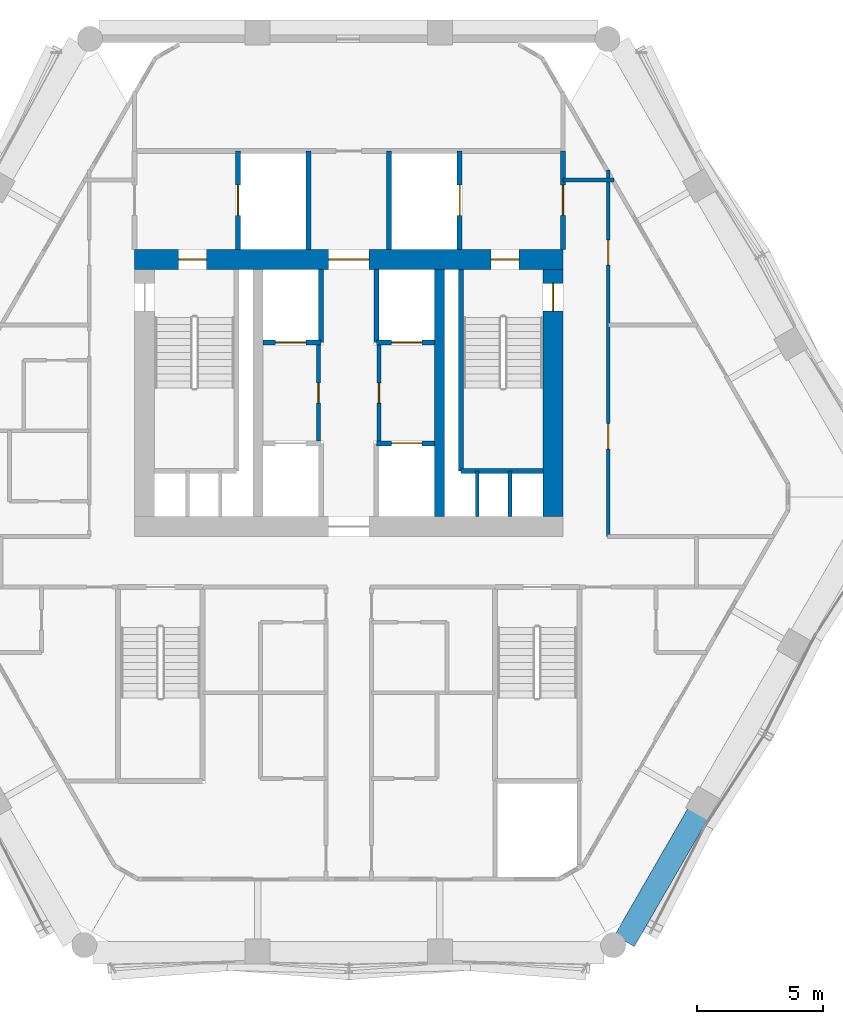
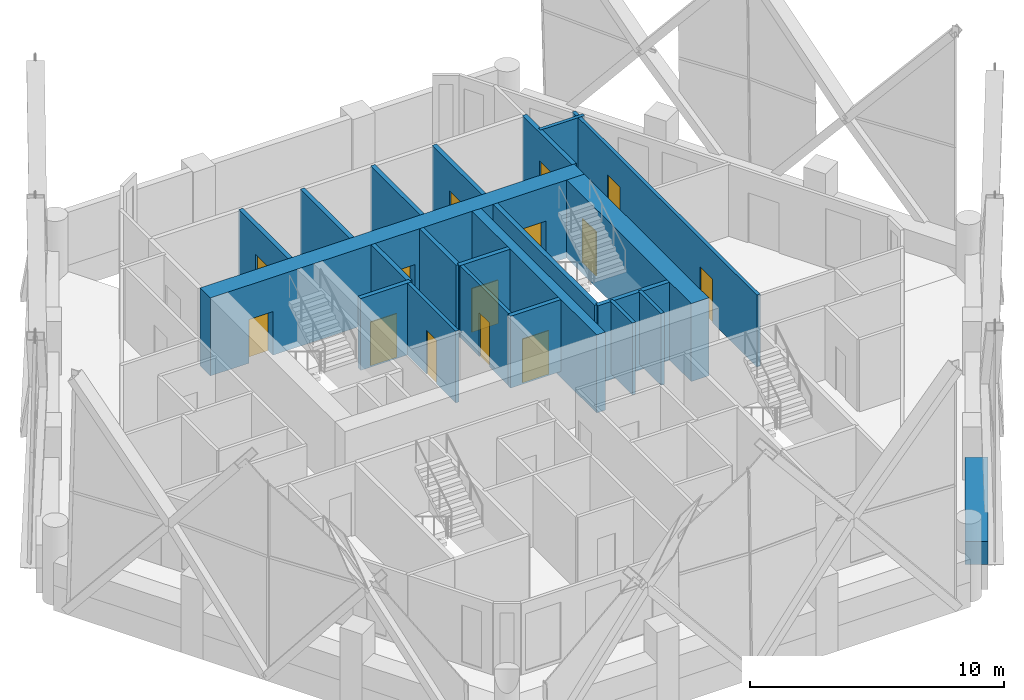
# One storey, part 12 of 19: 22 walls, 14 doors, 14 openings.
"""IFC4 building model written with IfcOpenShell, lengths in metres."""

from ifc_helpers import new_model, si_unit, direction, frame, frame_2d, origin, place, context, subcontext, project, spatial, rectangle, extrude, material, layer, layer_set, type_object, element, fill, save


model = new_model("IFC4")

# Units and contexts
model_context = context("Model", 3, precision=1e-05, world=origin(), true_north=direction((0.0, 1.0)))
body_context = subcontext(model_context, "Body", "Model", "MODEL_VIEW")
ifc_project = project(units=[si_unit("LENGTHUNIT", "METRE"), si_unit("AREAUNIT", "SQUARE_METRE"), si_unit("VOLUMEUNIT", "CUBIC_METRE"), si_unit("PLANEANGLEUNIT", "RADIAN"), si_unit("MASSUNIT", "GRAM", prefix="KILO")], contexts=[model_context])

# Site, building, storey
site_placement = place(None, origin())
site = spatial("IfcSite", under=ifc_project, at=site_placement, CompositionType="ELEMENT")
building_placement = place(site_placement, origin())
building = spatial("IfcBuilding", under=site, at=building_placement, Name="Ostrander Bayou Hotel Tower", CompositionType="ELEMENT")
storey_placement = place(building_placement, frame((0.0, 0.0, 164.5)))
storey = spatial("IfcBuildingStorey", under=building, at=storey_placement, Name="L40", CompositionType="ELEMENT", Elevation=164.5)

# Wall, openings, doors
ifc_material_1 = material(Name="Concrete f'c 60 MPa", Category="concrete")
ifc_layer_1 = layer(ifc_material_1, 0.800048828125)
ifc_layer_set_1 = layer_set([ifc_layer_1], Name="CW7 core wall 800 mm f'c 60 MPa")
wall_type_1 = type_object("IfcWallType", Name="CW7 core wall 800 mm f'c 60 MPa", PredefinedType="SHEAR", material=ifc_layer_set_1)
wall_1_placement = place(storey_placement, frame((-8.5, 9.300048828125, -0.300048828125), z_axis=(0.0, 0.0, 1.0), x_axis=(1.0, 0.0, 0.0)))
wall_1 = element("IfcWall", 1, at=wall_1_placement, inside=storey, type_object=wall_type_1, Name="CW7 L40 N", PredefinedType="SHEAR", context=body_context, shape_type="SweptSolid", body=[
    extrude(rectangle(XDim=17.0, YDim=0.800048828125, at=frame_2d((8.5, 0.0))), origin(), (0.0, 0.0, 1.0), 3.75),
])
opening_1_placement = place(wall_1_placement, frame((7.699951171875, 0.0, 0.0)))
opening_1 = element("IfcOpeningElement", 2, at=opening_1_placement, cuts=wall_1, Name="Opening T38-006", PredefinedType="OPENING", context=body_context, shape_type="SweptSolid", body=[
    extrude(rectangle(XDim=1.60009765625, YDim=2.10009765625, at=frame_2d((0.800048828125, 1.050048828125))), frame((0.0, 0.39990234375, 0.0), z_axis=(0.0, -1.0, 0.0), x_axis=(1.0, 0.0, 0.0)), (0.0, 0.0, 1.0), 0.800048828125),
])
opening_2_placement = place(wall_1_placement, frame((1.75, 0.0, 0.0)))
opening_2 = element("IfcOpeningElement", 3, at=opening_2_placement, cuts=wall_1, Name="Opening T38-007", PredefinedType="OPENING", context=body_context, shape_type="SweptSolid", body=[
    extrude(rectangle(XDim=1.10009765625, YDim=2.10009765625, at=frame_2d((0.550048828125, 1.050048828125))), frame((0.0, 0.39990234375, 0.0), z_axis=(0.0, -1.0, 0.0), x_axis=(1.0, 0.0, 0.0)), (0.0, 0.0, 1.0), 0.800048828125),
])
opening_3_placement = place(wall_1_placement, frame((14.14990234375, 0.0, 0.0)))
opening_3 = element("IfcOpeningElement", 4, at=opening_3_placement, cuts=wall_1, Name="Opening T38-009", PredefinedType="OPENING", context=body_context, shape_type="SweptSolid", body=[
    extrude(rectangle(XDim=1.10009765625, YDim=2.10009765625, at=frame_2d((0.550048828125, 1.050048828125))), frame((0.0, 0.39990234375, 0.0), z_axis=(0.0, -1.0, 0.0), x_axis=(1.0, 0.0, 0.0)), (0.0, 0.0, 1.0), 0.800048828125),
])
ifc_material_2 = material(Name="Timber door leaf", Category="wood")
door_type_1 = type_object("IfcDoorType", Name="D13 double door 1600 x 2100 mm, 1 hour", OperationType="SINGLE_SWING_LEFT", PredefinedType="DOOR", material=ifc_material_2)
door_1_placement = place(opening_1_placement, origin())
door_1 = element("IfcDoor", 5, at=door_1_placement, inside=storey, type_object=door_type_1, Name="dr:L40:006", OperationType="DOUBLE_DOOR_SINGLE_SWING", OverallHeight=2.10009765625, OverallWidth=1.60009765625, PredefinedType="DOOR", context=body_context, shape_type="SweptSolid", body=[
    extrude(rectangle(XDim=1.60009765625, YDim=2.10009765625, at=frame_2d((0.800048828125, 1.050048828125))), frame((0.0, 0.02490234375, 0.0), z_axis=(0.0, -1.0, 0.0), x_axis=(1.0, 0.0, 0.0)), (0.0, 0.0, 1.0), 0.050048828125),
])
fill(opening_1, door_1)
ifc_material_3 = material(Name="Timber door leaf", Category="wood")
door_type_2 = type_object("IfcDoorType", Name="D5 stair door 1100 x 2100 mm, 90 minute", OperationType="SINGLE_SWING_LEFT", PredefinedType="DOOR", material=ifc_material_3)
door_2_placement = place(opening_2_placement, origin())
door_2 = element("IfcDoor", 6, at=door_2_placement, inside=storey, type_object=door_type_2, Name="dr:L40:007", OperationType="SINGLE_SWING_LEFT", OverallHeight=2.10009765625, OverallWidth=1.10009765625, PredefinedType="DOOR", context=body_context, shape_type="SweptSolid", body=[
    extrude(rectangle(XDim=1.10009765625, YDim=2.10009765625, at=frame_2d((0.550048828125, 1.050048828125))), frame((0.0, 0.02490234375, 0.0), z_axis=(0.0, -1.0, 0.0), x_axis=(1.0, 0.0, 0.0)), (0.0, 0.0, 1.0), 0.050048828125),
])
fill(opening_2, door_2)
door_3_placement = place(opening_3_placement, origin())
door_3 = element("IfcDoor", 7, at=door_3_placement, inside=storey, type_object=door_type_2, Name="dr:L40:009", OperationType="SINGLE_SWING_RIGHT", OverallHeight=2.10009765625, OverallWidth=1.10009765625, PredefinedType="DOOR", context=body_context, shape_type="SweptSolid", body=[
    extrude(rectangle(XDim=1.10009765625, YDim=2.10009765625, at=frame_2d((0.550048828125, 1.050048828125))), frame((0.0, 0.02490234375, 0.0), z_axis=(0.0, -1.0, 0.0), x_axis=(1.0, 0.0, 0.0)), (0.0, 0.0, 1.0), 0.050048828125),
])
fill(opening_3, door_3)

# Wall, opening, door
ifc_material_4 = material(Name="Concrete f'c 60 MPa", Category="concrete")
ifc_layer_2 = layer(ifc_material_4, 0.800048828125)
ifc_layer_set_2 = layer_set([ifc_layer_2], Name="CW8 core spine wall 800 mm f'c 60 MPa")
wall_type_2 = type_object("IfcWallType", Name="CW8 core spine wall 800 mm f'c 60 MPa", PredefinedType="SHEAR", material=ifc_layer_set_2)
wall_2_placement = place(storey_placement, frame((8.10009765625, -0.89990234375, -0.300048828125), z_axis=(0.0, 0.0, 1.0), x_axis=(0.0, 1.0, 0.0)))
wall_2 = element("IfcWall", 8, at=wall_2_placement, inside=storey, type_object=wall_type_2, Name="CW8 L40 E", PredefinedType="SHEAR", context=body_context, shape_type="SweptSolid", body=[
    extrude(rectangle(XDim=9.7998046875, YDim=0.800048828125, at=frame_2d((4.89990234375, 0.0))), origin(), (0.0, 0.0, 1.0), 3.75),
])
opening_4_placement = place(wall_2_placement, frame((8.14990234375, 0.0, 0.0)))
opening_4 = element("IfcOpeningElement", 9, at=opening_4_placement, cuts=wall_2, Name="Opening T38-010", PredefinedType="OPENING", context=body_context, shape_type="SweptSolid", body=[
    extrude(rectangle(XDim=1.10009765625, YDim=2.10009765625, at=frame_2d((0.550048828125, 1.050048828125))), frame((0.0, 0.39990234375, 0.0), z_axis=(0.0, -1.0, 0.0), x_axis=(1.0, 0.0, 0.0)), (0.0, 0.0, 1.0), 0.800048828125),
])
door_4_placement = place(opening_4_placement, origin())
door_4 = element("IfcDoor", 10, at=door_4_placement, inside=storey, type_object=door_type_2, Name="dr:L40:010", OperationType="SINGLE_SWING_LEFT", OverallHeight=2.10009765625, OverallWidth=1.10009765625, PredefinedType="DOOR", context=body_context, shape_type="SweptSolid", body=[
    extrude(rectangle(XDim=1.10009765625, YDim=2.10009765625, at=frame_2d((0.550048828125, 1.050048828125))), frame((0.0, 0.02490234375, 0.0), z_axis=(0.0, -1.0, 0.0), x_axis=(1.0, 0.0, 0.0)), (0.0, 0.0, 1.0), 0.050048828125),
])
fill(opening_4, door_4)

# Walls
ifc_material_5 = material(Name="Concrete f'c 60 MPa", Category="concrete")
ifc_layer_3 = layer(ifc_material_5, 0.39990234375)
ifc_layer_set_3 = layer_set([ifc_layer_3], Name="CW9 core bank wall 400 mm f'c 60 MPa")
wall_type_3 = type_object("IfcWallType", Name="CW9 core bank wall 400 mm f'c 60 MPa", PredefinedType="SHEAR", material=ifc_layer_set_3)
wall_3_placement = place(storey_placement, frame((3.60009765625, -0.89990234375, -0.300048828125), z_axis=(0.0, 0.0, 1.0), x_axis=(0.0, 1.0, 0.0)))
element("IfcWall", 11, at=wall_3_placement, inside=storey, type_object=wall_type_3, Name="CW9 L40 CE", PredefinedType="SHEAR", context=body_context, shape_type="SweptSolid", body=[
    extrude(rectangle(XDim=9.7998046875, YDim=0.39990234375, at=frame_2d((4.89990234375, 0.0))), origin(), (0.0, 0.0, 1.0), 3.75),
])
ifc_material_6 = material(Name="Limestone masonry", Category="masonry")
ifc_layer_4 = layer(ifc_material_6, 0.89990234375)
ifc_layer_set_4 = layer_set([ifc_layer_4], Name="PA2 limestone parapet 900 mm")
wall_type_4 = type_object("IfcWallType", Name="PA2 limestone parapet 900 mm", PredefinedType="PARAPET", material=ifc_layer_set_4)
wall_4_placement = place(storey_placement, frame((10.941162109375, -17.74951171875, 0.0), z_axis=(0.0, 0.0, 1.0), x_axis=(0.499969679245, 0.866042908773, 0.0)))
element("IfcWall", 12, at=wall_4_placement, inside=storey, type_object=wall_type_4, Name="PA2 L40 SE-1", PredefinedType="PARAPET", context=body_context, shape_type="SweptSolid", body=[
    extrude(rectangle(XDim=5.812744140625, YDim=0.89990234375, at=frame_2d((2.90625, 0.0))), origin(), (0.0, 0.0, 1.0), 1.10009765625),
])

# Wall, opening, door
ifc_material_7 = material(Name="Masonry block", Category="masonry")
ifc_layer_5 = layer(ifc_material_7, 0.199951171875)
ifc_layer_set_5 = layer_set([ifc_layer_5], Name="PT5 stair enclosure wall 200 mm masonry, 2 hour")
wall_type_5 = type_object("IfcWallType", Name="PT5 stair enclosure wall 200 mm masonry, 2 hour", PredefinedType="PARTITIONING", material=ifc_layer_set_5)
wall_5_placement = place(storey_placement, frame((8.5, 9.699951171875, 0.0), z_axis=(0.0, 0.0, 1.0), x_axis=(0.0, 1.0, 0.0)))
wall_5 = element("IfcWall", 13, at=wall_5_placement, inside=storey, type_object=wall_type_5, Name="cs:L40:029", PredefinedType="PARTITIONING", context=body_context, shape_type="SweptSolid", body=[
    extrude(rectangle(XDim=3.900146484375, YDim=0.199951171875, at=frame_2d((1.9501953125, 0.0))), origin(), (0.0, 0.0, 1.0), 3.449951171875),
])
opening_5_placement = place(wall_5_placement, frame((1.35009765625, 0.0, 0.0)))
opening_5 = element("IfcOpeningElement", 14, at=opening_5_placement, cuts=wall_5, Name="Opening T38-016", PredefinedType="OPENING", context=body_context, shape_type="SweptSolid", body=[
    extrude(rectangle(XDim=1.199951171875, YDim=2.10009765625, at=frame_2d((0.60009765625, 1.050048828125))), frame((0.0, 0.10009765625, 0.0), z_axis=(0.0, -1.0, 0.0), x_axis=(1.0, 0.0, 0.0)), (0.0, 0.0, 1.0), 0.199951171875),
])
ifc_material_8 = material(Name="Timber door leaf", Category="wood")
door_type_3 = type_object("IfcDoorType", Name="D7 lobby door 1200 x 2100 mm, 1 hour", OperationType="SINGLE_SWING_LEFT", PredefinedType="DOOR", material=ifc_material_8)
door_5_placement = place(opening_5_placement, origin())
door_5 = element("IfcDoor", 15, at=door_5_placement, inside=storey, type_object=door_type_3, Name="dr:L40:016", OperationType="SINGLE_SWING_LEFT", OverallHeight=2.10009765625, OverallWidth=1.199951171875, PredefinedType="DOOR", context=body_context, shape_type="SweptSolid", body=[
    extrude(rectangle(XDim=1.199951171875, YDim=2.10009765625, at=frame_2d((0.60009765625, 1.050048828125))), frame((0.0, 0.02490234375, 0.0), z_axis=(0.0, -1.0, 0.0), x_axis=(1.0, 0.0, 0.0)), (0.0, 0.0, 1.0), 0.050048828125),
])
fill(opening_5, door_5)

wall_6_placement = place(storey_placement, frame((-4.39990234375, 9.699951171875, 0.0), z_axis=(0.0, 0.0, 1.0), x_axis=(0.0, 1.0, 0.0)))
wall_6 = element("IfcWall", 16, at=wall_6_placement, inside=storey, type_object=wall_type_5, Name="cs:L40:030", PredefinedType="PARTITIONING", context=body_context, shape_type="SweptSolid", body=[
    extrude(rectangle(XDim=3.900146484375, YDim=0.199951171875, at=frame_2d((1.9501953125, 0.0))), origin(), (0.0, 0.0, 1.0), 3.449951171875),
])
opening_6_placement = place(wall_6_placement, frame((1.35009765625, 0.0, 0.0)))
opening_6 = element("IfcOpeningElement", 17, at=opening_6_placement, cuts=wall_6, Name="Opening T38-013", PredefinedType="OPENING", context=body_context, shape_type="SweptSolid", body=[
    extrude(rectangle(XDim=1.199951171875, YDim=2.10009765625, at=frame_2d((0.60009765625, 1.050048828125))), frame((0.0, 0.10009765625, 0.0), z_axis=(0.0, -1.0, 0.0), x_axis=(1.0, 0.0, 0.0)), (0.0, 0.0, 1.0), 0.199951171875),
])
ifc_material_9 = material(Name="Stainless steel sliding door", Category="steel")
door_type_4 = type_object("IfcDoorType", Name="LD1 lift landing door 1200 x 2100 mm", OperationType="SINGLE_SWING_LEFT", PredefinedType="DOOR", material=ifc_material_9)
door_6_placement = place(opening_6_placement, origin())
door_6 = element("IfcDoor", 18, at=door_6_placement, inside=storey, type_object=door_type_4, Name="dr:L40:013", OperationType="SLIDING_TO_LEFT", OverallHeight=2.10009765625, OverallWidth=1.199951171875, PredefinedType="DOOR", context=body_context, shape_type="SweptSolid", body=[
    extrude(rectangle(XDim=1.199951171875, YDim=2.10009765625, at=frame_2d((0.60009765625, 1.050048828125))), frame((0.0, 0.02490234375, 0.0), z_axis=(0.0, -1.0, 0.0), x_axis=(1.0, 0.0, 0.0)), (0.0, 0.0, 1.0), 0.050048828125),
])
fill(opening_6, door_6)

wall_7_placement = place(storey_placement, frame((4.39990234375, 9.699951171875, 0.0), z_axis=(0.0, 0.0, 1.0), x_axis=(0.0, 1.0, 0.0)))
wall_7 = element("IfcWall", 19, at=wall_7_placement, inside=storey, type_object=wall_type_5, Name="cs:L40:031", PredefinedType="PARTITIONING", context=body_context, shape_type="SweptSolid", body=[
    extrude(rectangle(XDim=3.900146484375, YDim=0.199951171875, at=frame_2d((1.9501953125, 0.0))), origin(), (0.0, 0.0, 1.0), 3.449951171875),
])
opening_7_placement = place(wall_7_placement, frame((1.35009765625, 0.0, 0.0)))
opening_7 = element("IfcOpeningElement", 20, at=opening_7_placement, cuts=wall_7, Name="Opening T38-015", PredefinedType="OPENING", context=body_context, shape_type="SweptSolid", body=[
    extrude(rectangle(XDim=1.199951171875, YDim=2.10009765625, at=frame_2d((0.60009765625, 1.050048828125))), frame((0.0, 0.10009765625, 0.0), z_axis=(0.0, -1.0, 0.0), x_axis=(1.0, 0.0, 0.0)), (0.0, 0.0, 1.0), 0.199951171875),
])
door_7_placement = place(opening_7_placement, origin())
door_7 = element("IfcDoor", 21, at=door_7_placement, inside=storey, type_object=door_type_4, Name="dr:L40:015", OperationType="SLIDING_TO_LEFT", OverallHeight=2.10009765625, OverallWidth=1.199951171875, PredefinedType="DOOR", context=body_context, shape_type="SweptSolid", body=[
    extrude(rectangle(XDim=1.199951171875, YDim=2.10009765625, at=frame_2d((0.60009765625, 1.050048828125))), frame((0.0, 0.02490234375, 0.0), z_axis=(0.0, -1.0, 0.0), x_axis=(1.0, 0.0, 0.0)), (0.0, 0.0, 1.0), 0.050048828125),
])
fill(opening_7, door_7)

ifc_material_10 = material(Name="Masonry block", Category="masonry")
ifc_layer_6 = layer(ifc_material_10, 0.199951171875)
ifc_layer_set_6 = layer_set([ifc_layer_6], Name="PT6 lift shaft wall 200 mm masonry, 2 hour")
wall_type_6 = type_object("IfcWallType", Name="PT6 lift shaft wall 200 mm masonry, 2 hour", PredefinedType="PARTITIONING", material=ifc_layer_set_6)
wall_8_placement = place(storey_placement, frame((-3.39990234375, 6.0, 0.0), z_axis=(0.0, 0.0, 1.0), x_axis=(1.0, 0.0, 0.0)))
wall_8 = element("IfcWall", 22, at=wall_8_placement, inside=storey, type_object=wall_type_6, Name="cs:L40:002", PredefinedType="PARTITIONING", context=body_context, shape_type="SweptSolid", body=[
    extrude(rectangle(XDim=2.2998046875, YDim=0.199951171875, at=frame_2d((1.14990234375, 0.0))), origin(), (0.0, 0.0, 1.0), 3.449951171875),
])
opening_8_placement = place(wall_8_placement, frame((0.5, 0.0, 0.0)))
opening_8 = element("IfcOpeningElement", 23, at=opening_8_placement, cuts=wall_8, Name="Opening T38-003", PredefinedType="OPENING", context=body_context, shape_type="SweptSolid", body=[
    extrude(rectangle(XDim=1.199951171875, YDim=2.10009765625, at=frame_2d((0.60009765625, 1.050048828125))), frame((0.0, 0.10009765625, 0.0), z_axis=(0.0, -1.0, 0.0), x_axis=(1.0, 0.0, 0.0)), (0.0, 0.0, 1.0), 0.199951171875),
])
door_8_placement = place(opening_8_placement, origin())
door_8 = element("IfcDoor", 24, at=door_8_placement, inside=storey, type_object=door_type_4, Name="dr:L40:003", OperationType="SLIDING_TO_LEFT", OverallHeight=2.10009765625, OverallWidth=1.199951171875, PredefinedType="DOOR", context=body_context, shape_type="SweptSolid", body=[
    extrude(rectangle(XDim=1.199951171875, YDim=2.10009765625, at=frame_2d((0.60009765625, 1.050048828125))), frame((0.0, 0.02490234375, 0.0), z_axis=(0.0, -1.0, 0.0), x_axis=(1.0, 0.0, 0.0)), (0.0, 0.0, 1.0), 0.050048828125),
])
fill(opening_8, door_8)

wall_9_placement = place(storey_placement, frame((1.10009765625, 2.0, 0.0), z_axis=(0.0, 0.0, 1.0), x_axis=(1.0, 0.0, 0.0)))
wall_9 = element("IfcWall", 25, at=wall_9_placement, inside=storey, type_object=wall_type_6, Name="cs:L40:003", PredefinedType="PARTITIONING", context=body_context, shape_type="SweptSolid", body=[
    extrude(rectangle(XDim=2.2998046875, YDim=0.199951171875, at=frame_2d((1.14990234375, 0.0))), origin(), (0.0, 0.0, 1.0), 3.449951171875),
])
opening_9_placement = place(wall_9_placement, frame((0.60009765625, 0.0, 0.0)))
opening_9 = element("IfcOpeningElement", 26, at=opening_9_placement, cuts=wall_9, Name="Opening T38-002", PredefinedType="OPENING", context=body_context, shape_type="SweptSolid", body=[
    extrude(rectangle(XDim=1.199951171875, YDim=2.10009765625, at=frame_2d((0.60009765625, 1.050048828125))), frame((0.0, 0.10009765625, 0.0), z_axis=(0.0, -1.0, 0.0), x_axis=(1.0, 0.0, 0.0)), (0.0, 0.0, 1.0), 0.199951171875),
])
door_9_placement = place(opening_9_placement, origin())
door_9 = element("IfcDoor", 27, at=door_9_placement, inside=storey, type_object=door_type_4, Name="dr:L40:002", OperationType="SLIDING_TO_LEFT", OverallHeight=2.10009765625, OverallWidth=1.199951171875, PredefinedType="DOOR", context=body_context, shape_type="SweptSolid", body=[
    extrude(rectangle(XDim=1.199951171875, YDim=2.10009765625, at=frame_2d((0.60009765625, 1.050048828125))), frame((0.0, 0.02490234375, 0.0), z_axis=(0.0, -1.0, 0.0), x_axis=(1.0, 0.0, 0.0)), (0.0, 0.0, 1.0), 0.050048828125),
])
fill(opening_9, door_9)

wall_10_placement = place(storey_placement, frame((1.10009765625, 6.0, 0.0), z_axis=(0.0, 0.0, 1.0), x_axis=(1.0, 0.0, 0.0)))
wall_10 = element("IfcWall", 28, at=wall_10_placement, inside=storey, type_object=wall_type_6, Name="cs:L40:004", PredefinedType="PARTITIONING", context=body_context, shape_type="SweptSolid", body=[
    extrude(rectangle(XDim=2.2998046875, YDim=0.199951171875, at=frame_2d((1.14990234375, 0.0))), origin(), (0.0, 0.0, 1.0), 3.449951171875),
])
opening_10_placement = place(wall_10_placement, frame((0.60009765625, 0.0, 0.0)))
opening_10 = element("IfcOpeningElement", 29, at=opening_10_placement, cuts=wall_10, Name="Opening T38-004", PredefinedType="OPENING", context=body_context, shape_type="SweptSolid", body=[
    extrude(rectangle(XDim=1.199951171875, YDim=2.10009765625, at=frame_2d((0.60009765625, 1.050048828125))), frame((0.0, 0.10009765625, 0.0), z_axis=(0.0, -1.0, 0.0), x_axis=(1.0, 0.0, 0.0)), (0.0, 0.0, 1.0), 0.199951171875),
])
door_10_placement = place(opening_10_placement, origin())
door_10 = element("IfcDoor", 30, at=door_10_placement, inside=storey, type_object=door_type_4, Name="dr:L40:004", OperationType="SLIDING_TO_LEFT", OverallHeight=2.10009765625, OverallWidth=1.199951171875, PredefinedType="DOOR", context=body_context, shape_type="SweptSolid", body=[
    extrude(rectangle(XDim=1.199951171875, YDim=2.10009765625, at=frame_2d((0.60009765625, 1.050048828125))), frame((0.0, 0.02490234375, 0.0), z_axis=(0.0, -1.0, 0.0), x_axis=(1.0, 0.0, 0.0)), (0.0, 0.0, 1.0), 0.050048828125),
])
fill(opening_10, door_10)

# Walls
for number, where, z_axis, x_axis, name in (
    (31, (-1.10009765625, 6.0, 0.0), (0.0, 0.0, 1.0), (0.0, 1.0, 0.0), "cs:L40:007"),
    (32, (1.10009765625, 6.0, 0.0), (0.0, 0.0, 1.0), (0.0, 1.0, 0.0), "cs:L40:008"),
):
    element("IfcWall", number, at=place(storey_placement, frame(where, z_axis=z_axis, x_axis=x_axis)), inside=storey, type_object=wall_type_6, Name=name, PredefinedType="PARTITIONING", context=body_context, shape_type="SweptSolid", body=[
        extrude(rectangle(XDim=2.89990234375, YDim=0.199951171875, at=frame_2d((1.449951171875, 0.0))), origin(), (0.0, 0.0, 1.0), 3.449951171875),
    ])
for number, where, z_axis, x_axis, name in (
    (33, (-1.60009765625, 9.699951171875, 0.0), (0.0, 0.0, 1.0), (0.0, 1.0, 0.0), "cs:L40:032"),
    (34, (1.60009765625, 9.699951171875, 0.0), (0.0, 0.0, 1.0), (0.0, 1.0, 0.0), "cs:L40:033"),
):
    element("IfcWall", number, at=place(storey_placement, frame(where, z_axis=z_axis, x_axis=x_axis)), inside=storey, type_object=wall_type_6, Name=name, PredefinedType="PARTITIONING", context=body_context, shape_type="SweptSolid", body=[
        extrude(rectangle(XDim=3.900146484375, YDim=0.199951171875, at=frame_2d((1.9501953125, 0.0))), origin(), (0.0, 0.0, 1.0), 3.449951171875),
    ])
ifc_material_11 = material(Name="Gypsum board partition", Category="finish")
ifc_layer_7 = layer(ifc_material_11, 0.14990234375)
ifc_layer_set_7 = layer_set([ifc_layer_7], Name="PT7 riser wall 150 mm, 2 hour")
wall_type_7 = type_object("IfcWallType", Name="PT7 riser wall 150 mm, 2 hour", PredefinedType="PARTITIONING", material=ifc_layer_set_7)
for number, where, z_axis, x_axis, name in (
    (35, (5.10009765625, -0.89990234375, 0.0), (0.0, 0.0, 1.0), (0.0, 1.0, 0.0), "cs:L40:015"),
    (36, (6.39990234375, -0.89990234375, 0.0), (0.0, 0.0, 1.0), (0.0, 1.0, 0.0), "cs:L40:016"),
):
    element("IfcWall", number, at=place(storey_placement, frame(where, z_axis=z_axis, x_axis=x_axis)), inside=storey, type_object=wall_type_7, Name=name, PredefinedType="PARTITIONING", context=body_context, shape_type="SweptSolid", body=[
        extrude(rectangle(XDim=1.7998046875, YDim=0.14990234375, at=frame_2d((0.89990234375, 0.0))), origin(), (0.0, 0.0, 1.0), 3.449951171875),
    ])

# Wall, opening, door
wall_11_placement = place(storey_placement, frame((-1.199951171875, 2.10009765625, 0.0), z_axis=(0.0, 0.0, 1.0), x_axis=(0.0, 1.0, 0.0)))
wall_11 = element("IfcWall", 37, at=wall_11_placement, inside=storey, type_object=wall_type_7, Name="cs:L40:034", PredefinedType="PARTITIONING", context=body_context, shape_type="SweptSolid", body=[
    extrude(rectangle(XDim=3.7998046875, YDim=0.14990234375, at=frame_2d((1.89990234375, 0.0))), origin(), (0.0, 0.0, 1.0), 3.449951171875),
])
opening_11_placement = place(wall_11_placement, frame((1.5, 0.0, 0.0)))
opening_11 = element("IfcOpeningElement", 38, at=opening_11_placement, cuts=wall_11, Name="Opening T38-018", PredefinedType="OPENING", context=body_context, shape_type="SweptSolid", body=[
    extrude(rectangle(XDim=0.800048828125, YDim=2.10009765625, at=frame_2d((0.39990234375, 1.050048828125))), frame((0.0, 0.074951171875, 0.0), z_axis=(0.0, -1.0, 0.0), x_axis=(1.0, 0.0, 0.0)), (0.0, 0.0, 1.0), 0.14990234375),
])
ifc_material_12 = material(Name="Timber door leaf", Category="wood")
door_type_5 = type_object("IfcDoorType", Name="D6 riser door 800 x 2100 mm, 90 minute", OperationType="SINGLE_SWING_LEFT", PredefinedType="DOOR", material=ifc_material_12)
door_11_placement = place(opening_11_placement, origin())
door_11 = element("IfcDoor", 39, at=door_11_placement, inside=storey, type_object=door_type_5, Name="dr:L40:018", OperationType="SINGLE_SWING_LEFT", OverallHeight=2.10009765625, OverallWidth=0.800048828125, PredefinedType="DOOR", context=body_context, shape_type="SweptSolid", body=[
    extrude(rectangle(XDim=0.800048828125, YDim=2.10009765625, at=frame_2d((0.39990234375, 1.050048828125))), frame((0.0, 0.02490234375, 0.0), z_axis=(0.0, -1.0, 0.0), x_axis=(1.0, 0.0, 0.0)), (0.0, 0.0, 1.0), 0.050048828125),
])
fill(opening_11, door_11)

wall_12_placement = place(storey_placement, frame((1.199951171875, 2.10009765625, 0.0), z_axis=(0.0, 0.0, 1.0), x_axis=(0.0, 1.0, 0.0)))
wall_12 = element("IfcWall", 40, at=wall_12_placement, inside=storey, type_object=wall_type_7, Name="cs:L40:035", PredefinedType="PARTITIONING", context=body_context, shape_type="SweptSolid", body=[
    extrude(rectangle(XDim=3.7998046875, YDim=0.14990234375, at=frame_2d((1.89990234375, 0.0))), origin(), (0.0, 0.0, 1.0), 3.449951171875),
])
opening_12_placement = place(wall_12_placement, frame((1.5, 0.0, 0.0)))
opening_12 = element("IfcOpeningElement", 41, at=opening_12_placement, cuts=wall_12, Name="Opening T38-019", PredefinedType="OPENING", context=body_context, shape_type="SweptSolid", body=[
    extrude(rectangle(XDim=0.800048828125, YDim=2.10009765625, at=frame_2d((0.39990234375, 1.050048828125))), frame((0.0, 0.074951171875, 0.0), z_axis=(0.0, -1.0, 0.0), x_axis=(1.0, 0.0, 0.0)), (0.0, 0.0, 1.0), 0.14990234375),
])
door_12_placement = place(opening_12_placement, origin())
door_12 = element("IfcDoor", 42, at=door_12_placement, inside=storey, type_object=door_type_5, Name="dr:L40:019", OperationType="SINGLE_SWING_RIGHT", OverallHeight=2.10009765625, OverallWidth=0.800048828125, PredefinedType="DOOR", context=body_context, shape_type="SweptSolid", body=[
    extrude(rectangle(XDim=0.800048828125, YDim=2.10009765625, at=frame_2d((0.39990234375, 1.050048828125))), frame((0.0, 0.02490234375, 0.0), z_axis=(0.0, -1.0, 0.0), x_axis=(1.0, 0.0, 0.0)), (0.0, 0.0, 1.0), 0.050048828125),
])
fill(opening_12, door_12)

# Wall
ifc_material_13 = material(Name="Gypsum board partition", Category="finish")
ifc_layer_8 = layer(ifc_material_13, 0.14990234375)
ifc_layer_set_8 = layer_set([ifc_layer_8], Name="PT8 service band wall 150 mm, 1 hour")
wall_type_8 = type_object("IfcWallType", Name="PT8 service band wall 150 mm, 1 hour", PredefinedType="PARTITIONING", material=ifc_layer_set_8)
wall_13_placement = place(storey_placement, frame((8.510009765625, 12.449951171875, 0.0), z_axis=(0.0, 0.0, 1.0), x_axis=(1.0, 0.0, 0.0)))
element("IfcWall", 43, at=wall_13_placement, inside=storey, type_object=wall_type_8, Name="gw:L40:022", PredefinedType="PARTITIONING", context=body_context, shape_type="SweptSolid", body=[
    extrude(rectangle(XDim=2.013916015625, YDim=0.14990234375, at=frame_2d((1.0068359375, 0.0))), origin(), (0.0, 0.0, 1.0), 3.449951171875),
])

# Wall, openings, doors
wall_14_placement = place(storey_placement, frame((10.300048828125, -1.699951171875, 0.0), z_axis=(0.0, 0.0, 1.0), x_axis=(0.0, 1.0, 0.0)))
wall_14 = element("IfcWall", 44, at=wall_14_placement, inside=storey, type_object=wall_type_8, Name="gw:L40:025", PredefinedType="PARTITIONING", context=body_context, shape_type="SweptSolid", body=[
    extrude(rectangle(XDim=14.537841796875, YDim=0.14990234375, at=frame_2d((7.26904296875, 0.0))), origin(), (0.0, 0.0, 1.0), 3.449951171875),
])
opening_13_placement = place(wall_14_placement, frame((3.48291015625, 0.0, 0.0)))
opening_13 = element("IfcOpeningElement", 45, at=opening_13_placement, cuts=wall_14, Name="Opening T38-417", PredefinedType="OPENING", context=body_context, shape_type="SweptSolid", body=[
    extrude(rectangle(XDim=1.0, YDim=2.10009765625, at=frame_2d((0.5, 1.050048828125))), frame((0.0, 0.074951171875, 0.0), z_axis=(0.0, -1.0, 0.0), x_axis=(1.0, 0.0, 0.0)), (0.0, 0.0, 1.0), 0.14990234375),
])
opening_14_placement = place(wall_14_placement, frame((10.77490234375, 0.0, 0.0)))
opening_14 = element("IfcOpeningElement", 46, at=opening_14_placement, cuts=wall_14, Name="Opening T38-418", PredefinedType="OPENING", context=body_context, shape_type="SweptSolid", body=[
    extrude(rectangle(XDim=1.0, YDim=2.10009765625, at=frame_2d((0.5, 1.050048828125))), frame((0.0, 0.074951171875, 0.0), z_axis=(0.0, -1.0, 0.0), x_axis=(1.0, 0.0, 0.0)), (0.0, 0.0, 1.0), 0.14990234375),
])
ifc_material_14 = material(Name="Timber door leaf", Category="wood")
door_type_6 = type_object("IfcDoorType", Name="D15 room door 1000 x 2100 mm", OperationType="SINGLE_SWING_LEFT", PredefinedType="DOOR", material=ifc_material_14)
door_13_placement = place(opening_13_placement, origin())
door_13 = element("IfcDoor", 47, at=door_13_placement, inside=storey, type_object=door_type_6, Name="dr:L40:417", OperationType="SINGLE_SWING_LEFT", OverallHeight=2.10009765625, OverallWidth=1.0, PredefinedType="DOOR", context=body_context, shape_type="SweptSolid", body=[
    extrude(rectangle(XDim=1.0, YDim=2.10009765625, at=frame_2d((0.5, 1.050048828125))), frame((0.0, 0.02490234375, 0.0), z_axis=(0.0, -1.0, 0.0), x_axis=(1.0, 0.0, 0.0)), (0.0, 0.0, 1.0), 0.050048828125),
])
fill(opening_13, door_13)
ifc_material_15 = material(Name="Timber door leaf", Category="wood")
door_type_7 = type_object("IfcDoorType", Name="D9 service door 1000 x 2100 mm, 30 minute", OperationType="SINGLE_SWING_LEFT", PredefinedType="DOOR", material=ifc_material_15)
door_14_placement = place(opening_14_placement, origin())
door_14 = element("IfcDoor", 48, at=door_14_placement, inside=storey, type_object=door_type_7, Name="dr:L40:418", OperationType="SINGLE_SWING_LEFT", OverallHeight=2.10009765625, OverallWidth=1.0, PredefinedType="DOOR", context=body_context, shape_type="SweptSolid", body=[
    extrude(rectangle(XDim=1.0, YDim=2.10009765625, at=frame_2d((0.5, 1.050048828125))), frame((0.0, 0.02490234375, 0.0), z_axis=(0.0, -1.0, 0.0), x_axis=(1.0, 0.0, 0.0)), (0.0, 0.0, 1.0), 0.050048828125),
])
fill(opening_14, door_14)

# Walls
ifc_material_16 = material(Name="Concrete f'c 45 MPa", Category="concrete")
ifc_layer_9 = layer(ifc_material_16, 0.199951171875)
ifc_layer_set_9 = layer_set([ifc_layer_9], Name="SW5 stair enclosure wall 200 mm f'c 45 MPa")
wall_type_9 = type_object("IfcWallType", Name="SW5 stair enclosure wall 200 mm f'c 45 MPa", PredefinedType="SOLIDWALL", material=ifc_layer_set_9)
wall_15_placement = place(storey_placement, frame((4.449951171875, 0.89990234375, -0.300048828125), z_axis=(0.0, 0.0, 1.0), x_axis=(0.0, 1.0, 0.0)))
element("IfcWall", 49, at=wall_15_placement, inside=storey, type_object=wall_type_9, Name="cs:L40:013", PredefinedType="SOLIDWALL", context=body_context, shape_type="SweptSolid", body=[
    extrude(rectangle(XDim=8.0, YDim=0.199951171875, at=frame_2d((4.0, 0.0))), origin(), (0.0, 0.0, 1.0), 3.75),
])
wall_16_placement = place(storey_placement, frame((4.449951171875, 0.89990234375, -0.300048828125), z_axis=(0.0, 0.0, 1.0), x_axis=(1.0, 0.0, 0.0)))
element("IfcWall", 50, at=wall_16_placement, inside=storey, type_object=wall_type_9, Name="cs:L40:014", PredefinedType="SOLIDWALL", context=body_context, shape_type="SweptSolid", body=[
    extrude(rectangle(XDim=3.25, YDim=0.199951171875, at=frame_2d((1.625, 0.0))), origin(), (0.0, 0.0, 1.0), 3.75),
])

save(model, "model.ifc")
